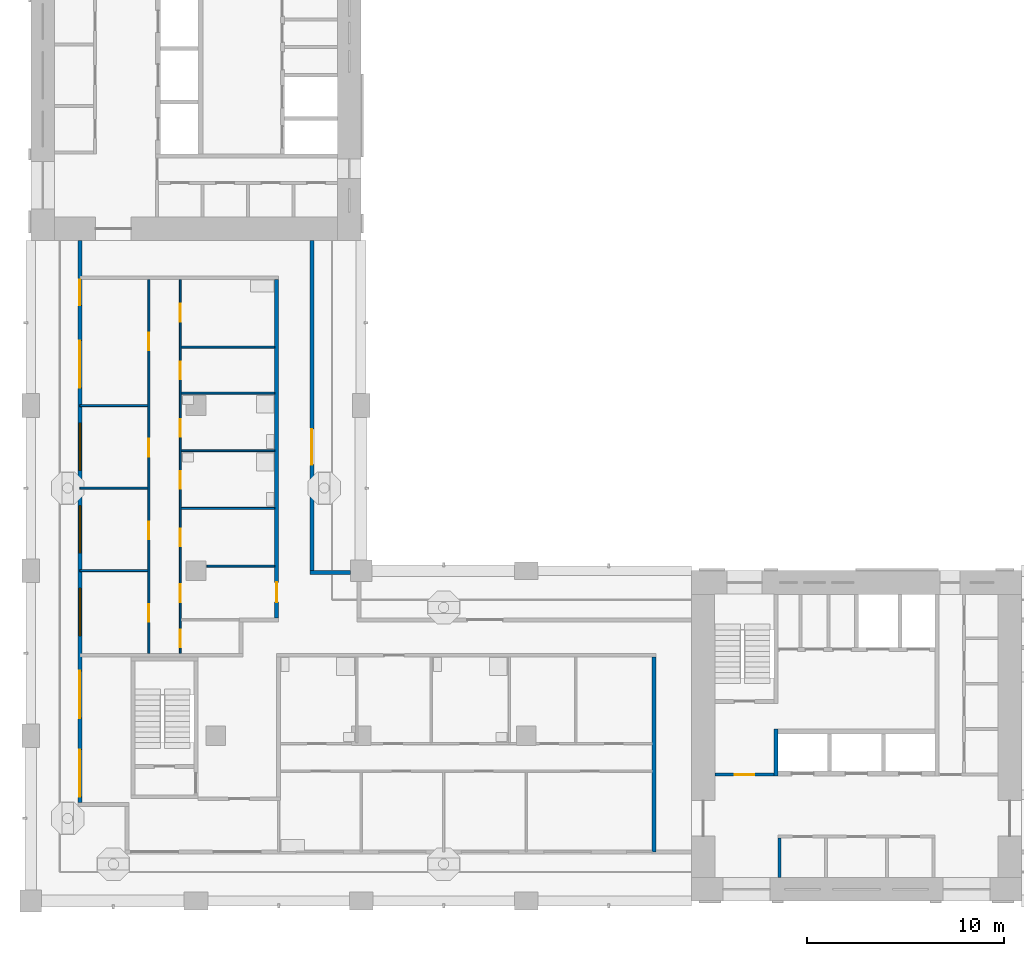
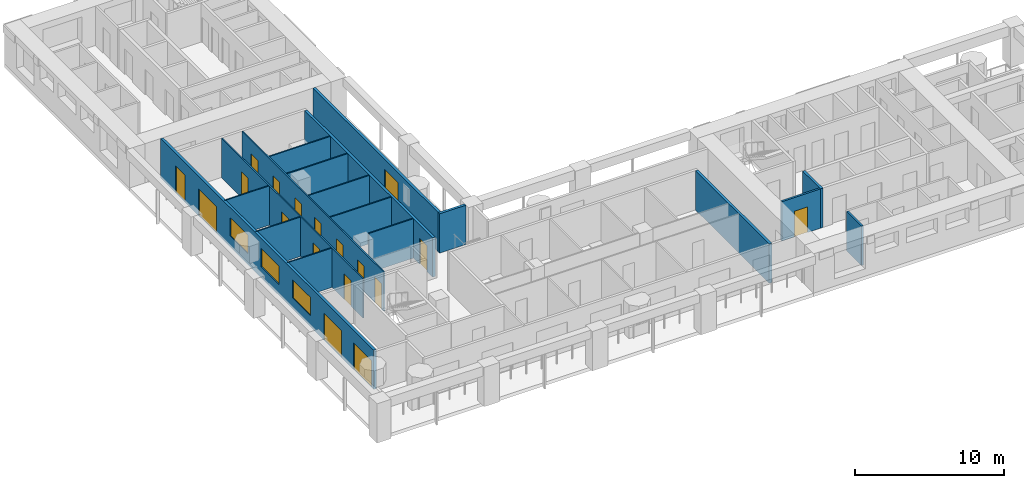
# One storey, part 3 of 13: 18 doors, 18 walls, 3 windows, 21 openings.
"""IFC4 building model written with IfcOpenShell, lengths in metres."""

from ifc_helpers import new_model, si_unit, direction, frame, frame_2d, origin, place, context, subcontext, project, spatial, rectangle, extrude, material, layer, layer_set, type_object, element, fill, save


model = new_model("IFC4")

# Units and contexts
model_context = context("Model", 3, precision=1e-05, world=origin(), true_north=direction((0.0, 1.0)))
body_context = subcontext(model_context, "Body", "Model", "MODEL_VIEW")
ifc_project = project(units=[si_unit("LENGTHUNIT", "METRE"), si_unit("AREAUNIT", "SQUARE_METRE"), si_unit("VOLUMEUNIT", "CUBIC_METRE"), si_unit("PLANEANGLEUNIT", "RADIAN"), si_unit("MASSUNIT", "GRAM", prefix="KILO")], contexts=[model_context])

# Site, building, storey
site_placement = place(None, origin())
site = spatial("IfcSite", under=ifc_project, at=site_placement, CompositionType="ELEMENT")
building_placement = place(site_placement, origin())
building = spatial("IfcBuilding", under=site, at=building_placement, Name="Vermilion Gate Residences", CompositionType="ELEMENT")
storey_placement = place(building_placement, frame((0.0, 0.0, 165.199951171875)))
storey = spatial("IfcBuildingStorey", under=building, at=storey_placement, Name="L42", CompositionType="ELEMENT", Elevation=165.199951171875)

# Wall
ifc_material_1 = material(Name="Masonry blockwork", Category="masonry")
ifc_layer_1 = layer(ifc_material_1, 0.14990234375)
ifc_layer_set_1 = layer_set([ifc_layer_1], Name="BLOCKWORK PARTITION 150 EI 120")
wall_type_1 = type_object("IfcWallType", Name="BLOCKWORK PARTITION 150 EI 120", PredefinedType="PARTITIONING", material=ifc_layer_set_1)
wall_1_placement = place(storey_placement, frame((46.47509765625, 9.60009765625, 0.0), z_axis=(0.0, 0.0, 1.0), x_axis=(0.0, 1.0, 0.0)))
element("IfcWall", 1, at=wall_1_placement, inside=storey, type_object=wall_type_1, Name="Core room partition A42-RW-W", PredefinedType="PARTITIONING", context=body_context, shape_type="SweptSolid", body=[
    extrude(rectangle(XDim=2.0, YDim=0.14990234375, at=frame_2d((1.0, 0.0))), origin(), (0.0, 0.0, 1.0), 3.219970703125),
])

# Wall, opening, door
wall_2_placement = place(storey_placement, frame((43.199951171875, 14.824951171875, 0.0), z_axis=(0.0, 0.0, 1.0), x_axis=(1.0, 0.0, 0.0)))
wall_2 = element("IfcWall", 2, at=wall_2_placement, inside=storey, type_object=wall_type_1, Name="Core room partition A42-VW-S", PredefinedType="PARTITIONING", context=body_context, shape_type="SweptSolid", body=[
    extrude(rectangle(XDim=3.0, YDim=0.14990234375, at=frame_2d((1.5, 0.0))), origin(), (0.0, 0.0, 1.0), 3.219970703125),
])
opening_1_placement = place(wall_2_placement, frame((1.0, 0.0, 0.0)))
opening_1 = element("IfcOpeningElement", 3, at=opening_1_placement, cuts=wall_2, Name="Opening DK42014", PredefinedType="OPENING", context=body_context, shape_type="SweptSolid", body=[
    extrude(rectangle(XDim=1.0, YDim=2.10009765625, at=frame_2d((0.5, 1.050048828125))), frame((0.0, 0.0849609375, 0.0), z_axis=(0.0, -1.0, 0.0), x_axis=(1.0, 0.0, 0.0)), (0.0, 0.0, 1.0), 0.169921875),
])
ifc_material_2 = material(Name="Steel", Category="steel")
door_type_1 = type_object("IfcDoorType", Name="FIRE DOOR FD60 1000 X 2100", OperationType="SINGLE_SWING_LEFT", PredefinedType="DOOR", material=ifc_material_2)
door_1_placement = place(opening_1_placement, frame((1.0, 0.0, 0.0), z_axis=(0.0, 0.0, 1.0), x_axis=(-1.0, 0.0, 0.0)))
door_1 = element("IfcDoor", 4, at=door_1_placement, inside=storey, type_object=door_type_1, Name="Stair vestibule door A42", OperationType="SINGLE_SWING_RIGHT", OverallHeight=2.10009765625, OverallWidth=1.0, PredefinedType="DOOR", context=body_context, shape_type="SweptSolid", body=[
    extrude(rectangle(XDim=1.0, YDim=2.10009765625, at=frame_2d((0.5, 1.050048828125))), frame((0.0, 0.02490234375, 0.0), z_axis=(0.0, -1.0, 0.0), x_axis=(1.0, 0.0, 0.0)), (0.0, 0.0, 1.0), 0.050048828125),
])
fill(opening_1, door_1)

# Wall, openings, doors, windows
ifc_material_3 = material(Name="Insulated steel stud wall with terracotta rainscreen", Category="masonry")
ifc_layer_2 = layer(ifc_material_3, 0.199951171875)
ifc_layer_set_2 = layer_set([ifc_layer_2], Name="EXTERNAL WALL 200 TERRACOTTA RAINSCREEN")
wall_type_2 = type_object("IfcWallType", Name="EXTERNAL WALL 200 TERRACOTTA RAINSCREEN", PredefinedType="SOLIDWALL", material=ifc_layer_set_2)
wall_3_placement = place(storey_placement, frame((10.89990234375, 42.0, 0.0), z_axis=(0.0, 0.0, 1.0), x_axis=(0.0, -1.0, 0.0)))
wall_3 = element("IfcWall", 5, at=wall_3_placement, inside=storey, type_object=wall_type_2, Name="External wall", PredefinedType="SOLIDWALL", context=body_context, shape_type="SweptSolid", body=[
    extrude(rectangle(XDim=28.60009765625, YDim=0.199951171875, at=frame_2d((14.300048828125, 0.0))), origin(), (0.0, 0.0, 1.0), 3.219970703125),
])
opening_2_placement = place(wall_3_placement, frame((25.89990234375, 0.0, 0.0)))
opening_2 = element("IfcOpeningElement", 6, at=opening_2_placement, cuts=wall_3, Name="Opening DE42001", PredefinedType="OPENING", context=body_context, shape_type="SweptSolid", body=[
    extrude(rectangle(XDim=2.39990234375, YDim=2.199951171875, at=frame_2d((1.199951171875, 1.10009765625))), frame((0.0, 0.10986328125, 0.0), z_axis=(0.0, -1.0, 0.0), x_axis=(1.0, 0.0, 0.0)), (0.0, 0.0, 1.0), 0.219970703125),
])
opening_3_placement = place(wall_3_placement, frame((21.89990234375, 0.0, 0.0)))
opening_3 = element("IfcOpeningElement", 7, at=opening_3_placement, cuts=wall_3, Name="Opening DE42002", PredefinedType="OPENING", context=body_context, shape_type="SweptSolid", body=[
    extrude(rectangle(XDim=2.39990234375, YDim=2.199951171875, at=frame_2d((1.199951171875, 1.10009765625))), frame((0.0, 0.10986328125, 0.0), z_axis=(0.0, -1.0, 0.0), x_axis=(1.0, 0.0, 0.0)), (0.0, 0.0, 1.0), 0.219970703125),
])
opening_4_placement = place(wall_3_placement, frame((17.699951171875, 0.0, 0.89990234375)))
opening_4 = element("IfcOpeningElement", 8, at=opening_4_placement, cuts=wall_3, Name="Opening WE42003", PredefinedType="OPENING", context=body_context, shape_type="SweptSolid", body=[
    extrude(rectangle(XDim=2.39990234375, YDim=1.5, at=frame_2d((1.199951171875, 0.75))), frame((0.0, 0.10986328125, 0.0), z_axis=(0.0, -1.0, 0.0), x_axis=(1.0, 0.0, 0.0)), (0.0, 0.0, 1.0), 0.219970703125),
])
opening_5_placement = place(wall_3_placement, frame((13.5, 0.0, 0.89990234375)))
opening_5 = element("IfcOpeningElement", 9, at=opening_5_placement, cuts=wall_3, Name="Opening WE42004", PredefinedType="OPENING", context=body_context, shape_type="SweptSolid", body=[
    extrude(rectangle(XDim=2.39990234375, YDim=1.5, at=frame_2d((1.199951171875, 0.75))), frame((0.0, 0.10986328125, 0.0), z_axis=(0.0, -1.0, 0.0), x_axis=(1.0, 0.0, 0.0)), (0.0, 0.0, 1.0), 0.219970703125),
])
opening_6_placement = place(wall_3_placement, frame((9.300048828125, 0.0, 0.89990234375)))
opening_6 = element("IfcOpeningElement", 10, at=opening_6_placement, cuts=wall_3, Name="Opening WE42005", PredefinedType="OPENING", context=body_context, shape_type="SweptSolid", body=[
    extrude(rectangle(XDim=2.39990234375, YDim=1.5, at=frame_2d((1.199951171875, 0.75))), frame((0.0, 0.10986328125, 0.0), z_axis=(0.0, -1.0, 0.0), x_axis=(1.0, 0.0, 0.0)), (0.0, 0.0, 1.0), 0.219970703125),
])
opening_7_placement = place(wall_3_placement, frame((5.10009765625, 0.0, 0.0)))
opening_7 = element("IfcOpeningElement", 11, at=opening_7_placement, cuts=wall_3, Name="Opening DE42006", PredefinedType="OPENING", context=body_context, shape_type="SweptSolid", body=[
    extrude(rectangle(XDim=2.39990234375, YDim=2.199951171875, at=frame_2d((1.199951171875, 1.10009765625))), frame((0.0, 0.10986328125, 0.0), z_axis=(0.0, -1.0, 0.0), x_axis=(1.0, 0.0, 0.0)), (0.0, 0.0, 1.0), 0.219970703125),
])
opening_8_placement = place(wall_3_placement, frame((2.0, 0.0, 0.0)))
opening_8 = element("IfcOpeningElement", 12, at=opening_8_placement, cuts=wall_3, Name="Opening DE42007", PredefinedType="OPENING", context=body_context, shape_type="SweptSolid", body=[
    extrude(rectangle(XDim=1.300048828125, YDim=2.199951171875, at=frame_2d((0.64990234375, 1.10009765625))), frame((0.0, 0.10986328125, 0.0), z_axis=(0.0, -1.0, 0.0), x_axis=(1.0, 0.0, 0.0)), (0.0, 0.0, 1.0), 0.219970703125),
])
ifc_material_4 = material(Name="Aluminium and clear glass", Category="aluminium")
door_type_2 = type_object("IfcDoorType", Name="SLIDING GLAZED DOOR 1300 X 2200", OperationType="DOUBLE_DOOR_SLIDING", PredefinedType="DOOR", material=ifc_material_4)
door_2_placement = place(opening_8_placement, origin())
door_2 = element("IfcDoor", 13, at=door_2_placement, inside=storey, type_object=door_type_2, Name="Loggia sliding door", OperationType="DOUBLE_DOOR_SLIDING", OverallHeight=2.199951171875, OverallWidth=1.300048828125, PredefinedType="DOOR", context=body_context, shape_type="SweptSolid", body=[
    extrude(rectangle(XDim=1.300048828125, YDim=2.199951171875, at=frame_2d((0.64990234375, 1.10009765625))), frame((0.0, 0.02490234375, 0.0), z_axis=(0.0, -1.0, 0.0), x_axis=(1.0, 0.0, 0.0)), (0.0, 0.0, 1.0), 0.050048828125),
])
fill(opening_8, door_2)
ifc_material_5 = material(Name="Aluminium and clear glass", Category="aluminium")
door_type_3 = type_object("IfcDoorType", Name="SLIDING GLAZED DOOR 2400 X 2200", OperationType="DOUBLE_DOOR_SLIDING", PredefinedType="DOOR", material=ifc_material_5)
door_3_placement = place(opening_2_placement, origin())
door_3 = element("IfcDoor", 14, at=door_3_placement, inside=storey, type_object=door_type_3, Name="Loggia sliding door", OperationType="DOUBLE_DOOR_SLIDING", OverallHeight=2.199951171875, OverallWidth=2.39990234375, PredefinedType="DOOR", context=body_context, shape_type="SweptSolid", body=[
    extrude(rectangle(XDim=2.39990234375, YDim=2.199951171875, at=frame_2d((1.199951171875, 1.10009765625))), frame((0.0, 0.02490234375, 0.0), z_axis=(0.0, -1.0, 0.0), x_axis=(1.0, 0.0, 0.0)), (0.0, 0.0, 1.0), 0.050048828125),
])
fill(opening_2, door_3)
door_4_placement = place(opening_3_placement, origin())
door_4 = element("IfcDoor", 15, at=door_4_placement, inside=storey, type_object=door_type_3, Name="Loggia sliding door", OperationType="DOUBLE_DOOR_SLIDING", OverallHeight=2.199951171875, OverallWidth=2.39990234375, PredefinedType="DOOR", context=body_context, shape_type="SweptSolid", body=[
    extrude(rectangle(XDim=2.39990234375, YDim=2.199951171875, at=frame_2d((1.199951171875, 1.10009765625))), frame((0.0, 0.02490234375, 0.0), z_axis=(0.0, -1.0, 0.0), x_axis=(1.0, 0.0, 0.0)), (0.0, 0.0, 1.0), 0.050048828125),
])
fill(opening_3, door_4)
door_5_placement = place(opening_7_placement, origin())
door_5 = element("IfcDoor", 16, at=door_5_placement, inside=storey, type_object=door_type_3, Name="Loggia sliding door", OperationType="DOUBLE_DOOR_SLIDING", OverallHeight=2.199951171875, OverallWidth=2.39990234375, PredefinedType="DOOR", context=body_context, shape_type="SweptSolid", body=[
    extrude(rectangle(XDim=2.39990234375, YDim=2.199951171875, at=frame_2d((1.199951171875, 1.10009765625))), frame((0.0, 0.02490234375, 0.0), z_axis=(0.0, -1.0, 0.0), x_axis=(1.0, 0.0, 0.0)), (0.0, 0.0, 1.0), 0.050048828125),
])
fill(opening_7, door_5)
ifc_material_6 = material(Name="Aluminium and clear glass", Category="aluminium")
window_type = type_object("IfcWindowType", Name="WINDOW 2400 X 1500", PartitioningType="SINGLE_PANEL", PredefinedType="WINDOW", material=ifc_material_6)
window_1_placement = place(opening_4_placement, origin())
window_1 = element("IfcWindow", 17, at=window_1_placement, inside=storey, type_object=window_type, Name="Window", OverallHeight=1.5, OverallWidth=2.39990234375, PartitioningType="SINGLE_PANEL", PredefinedType="WINDOW", context=body_context, shape_type="SweptSolid", body=[
    extrude(rectangle(XDim=2.39990234375, YDim=1.5, at=frame_2d((1.199951171875, 0.75))), frame((0.0, 0.030029296875, 0.0), z_axis=(0.0, -1.0, 0.0), x_axis=(1.0, 0.0, 0.0)), (0.0, 0.0, 1.0), 0.06005859375),
])
fill(opening_4, window_1)
window_2_placement = place(opening_5_placement, origin())
window_2 = element("IfcWindow", 18, at=window_2_placement, inside=storey, type_object=window_type, Name="Window", OverallHeight=1.5, OverallWidth=2.39990234375, PartitioningType="SINGLE_PANEL", PredefinedType="WINDOW", context=body_context, shape_type="SweptSolid", body=[
    extrude(rectangle(XDim=2.39990234375, YDim=1.5, at=frame_2d((1.199951171875, 0.75))), frame((0.0, 0.030029296875, 0.0), z_axis=(0.0, -1.0, 0.0), x_axis=(1.0, 0.0, 0.0)), (0.0, 0.0, 1.0), 0.06005859375),
])
fill(opening_5, window_2)
window_3_placement = place(opening_6_placement, origin())
window_3 = element("IfcWindow", 19, at=window_3_placement, inside=storey, type_object=window_type, Name="Window", OverallHeight=1.5, OverallWidth=2.39990234375, PartitioningType="SINGLE_PANEL", PredefinedType="WINDOW", context=body_context, shape_type="SweptSolid", body=[
    extrude(rectangle(XDim=2.39990234375, YDim=1.5, at=frame_2d((1.199951171875, 0.75))), frame((0.0, 0.030029296875, 0.0), z_axis=(0.0, -1.0, 0.0), x_axis=(1.0, 0.0, 0.0)), (0.0, 0.0, 1.0), 0.06005859375),
])
fill(opening_6, window_3)

# Wall
wall_4_placement = place(storey_placement, frame((24.64990234375, 25.10009765625, 0.0), z_axis=(0.0, 0.0, 1.0), x_axis=(-1.0, 0.0, 0.0)))
element("IfcWall", 20, at=wall_4_placement, inside=storey, type_object=wall_type_2, Name="External wall", PredefinedType="SOLIDWALL", context=body_context, shape_type="SweptSolid", body=[
    extrude(rectangle(XDim=2.0498046875, YDim=0.199951171875, at=frame_2d((1.02490234375, 0.0))), origin(), (0.0, 0.0, 1.0), 3.219970703125),
])

# Wall, opening, door
wall_5_placement = place(storey_placement, frame((22.699951171875, 25.199951171875, 0.0), z_axis=(0.0, 0.0, 1.0), x_axis=(0.0, 1.0, 0.0)))
wall_5 = element("IfcWall", 21, at=wall_5_placement, inside=storey, type_object=wall_type_2, Name="External wall", PredefinedType="SOLIDWALL", context=body_context, shape_type="SweptSolid", body=[
    extrude(rectangle(XDim=16.800048828125, YDim=0.199951171875, at=frame_2d((8.39990234375, 0.0))), origin(), (0.0, 0.0, 1.0), 3.219970703125),
])
opening_9_placement = place(wall_5_placement, frame((5.39990234375, 0.0, 0.0)))
opening_9 = element("IfcOpeningElement", 22, at=opening_9_placement, cuts=wall_5, Name="Opening DE42021", PredefinedType="OPENING", context=body_context, shape_type="SweptSolid", body=[
    extrude(rectangle(XDim=1.800048828125, YDim=2.39990234375, at=frame_2d((0.89990234375, 1.199951171875))), frame((0.0, 0.10986328125, 0.0), z_axis=(0.0, -1.0, 0.0), x_axis=(1.0, 0.0, 0.0)), (0.0, 0.0, 1.0), 0.219970703125),
])
ifc_material_7 = material(Name="Aluminium and clear glass", Category="aluminium")
door_type_4 = type_object("IfcDoorType", Name="GLAZED EXTERNAL DOOR 1800 X 2400", OperationType="DOUBLE_DOOR_SINGLE_SWING", PredefinedType="DOOR", material=ifc_material_7)
door_6_placement = place(opening_9_placement, frame((1.800048828125, 0.0, 0.0), z_axis=(0.0, 0.0, 1.0), x_axis=(-1.0, 0.0, 0.0)))
door_6 = element("IfcDoor", 23, at=door_6_placement, inside=storey, type_object=door_type_4, Name="Gallery door", OperationType="DOUBLE_DOOR_SINGLE_SWING", OverallHeight=2.39990234375, OverallWidth=1.800048828125, PredefinedType="DOOR", context=body_context, shape_type="SweptSolid", body=[
    extrude(rectangle(XDim=1.800048828125, YDim=2.39990234375, at=frame_2d((0.89990234375, 1.199951171875))), frame((0.0, 0.02490234375, 0.0), z_axis=(0.0, -1.0, 0.0), x_axis=(1.0, 0.0, 0.0)), (0.0, 0.0, 1.0), 0.050048828125),
])
fill(opening_9, door_6)

# Walls
ifc_material_8 = material(Name="Plasterboard on steel studs", Category="steel")
ifc_layer_3 = layer(ifc_material_8, 0.10009765625)
ifc_layer_set_3 = layer_set([ifc_layer_3], Name="PARTITION 100")
wall_type_3 = type_object("IfcWallType", Name="PARTITION 100", PredefinedType="PARTITIONING", material=ifc_layer_set_3)
wall_6_placement = place(storey_placement, frame((10.89990234375, 25.199951171875, 0.0), z_axis=(0.0, 0.0, 1.0), x_axis=(1.0, 0.0, 0.0)))
element("IfcWall", 24, at=wall_6_placement, inside=storey, type_object=wall_type_3, Name="Partition", PredefinedType="PARTITIONING", context=body_context, shape_type="SweptSolid", body=[
    extrude(rectangle(XDim=3.4501953125, YDim=0.10009765625, at=frame_2d((1.72509765625, 0.0))), origin(), (0.0, 0.0, 1.0), 3.219970703125),
])
wall_7_placement = place(storey_placement, frame((17.35009765625, 25.43310546875, 0.0), z_axis=(0.0, 0.0, 1.0), x_axis=(1.0, 0.0, 0.0)))
element("IfcWall", 25, at=wall_7_placement, inside=storey, type_object=wall_type_3, Name="Partition", PredefinedType="PARTITIONING", context=body_context, shape_type="SweptSolid", body=[
    extrude(rectangle(XDim=3.449951171875, YDim=0.10009765625, at=frame_2d((1.72509765625, 0.0))), origin(), (0.0, 0.0, 1.0), 3.219970703125),
])
wall_8_placement = place(storey_placement, frame((16.050048828125, 28.366943359375, 0.0), z_axis=(0.0, 0.0, 1.0), x_axis=(1.0, 0.0, 0.0)))
element("IfcWall", 26, at=wall_8_placement, inside=storey, type_object=wall_type_3, Name="Partition", PredefinedType="PARTITIONING", context=body_context, shape_type="SweptSolid", body=[
    extrude(rectangle(XDim=4.75, YDim=0.10009765625, at=frame_2d((2.375, 0.0))), origin(), (0.0, 0.0, 1.0), 3.219970703125),
])
wall_9_placement = place(storey_placement, frame((10.89990234375, 29.39990234375, 0.0), z_axis=(0.0, 0.0, 1.0), x_axis=(1.0, 0.0, 0.0)))
element("IfcWall", 27, at=wall_9_placement, inside=storey, type_object=wall_type_3, Name="Partition", PredefinedType="PARTITIONING", context=body_context, shape_type="SweptSolid", body=[
    extrude(rectangle(XDim=3.4501953125, YDim=0.10009765625, at=frame_2d((1.72509765625, 0.0))), origin(), (0.0, 0.0, 1.0), 3.219970703125),
])
wall_10_placement = place(storey_placement, frame((16.050048828125, 31.300048828125, 0.0), z_axis=(0.0, 0.0, 1.0), x_axis=(1.0, 0.0, 0.0)))
element("IfcWall", 28, at=wall_10_placement, inside=storey, type_object=wall_type_3, Name="Partition", PredefinedType="PARTITIONING", context=body_context, shape_type="SweptSolid", body=[
    extrude(rectangle(XDim=4.75, YDim=0.10009765625, at=frame_2d((2.375, 0.0))), origin(), (0.0, 0.0, 1.0), 3.219970703125),
])
wall_11_placement = place(storey_placement, frame((10.89990234375, 33.60009765625, 0.0), z_axis=(0.0, 0.0, 1.0), x_axis=(1.0, 0.0, 0.0)))
element("IfcWall", 29, at=wall_11_placement, inside=storey, type_object=wall_type_3, Name="Partition", PredefinedType="PARTITIONING", context=body_context, shape_type="SweptSolid", body=[
    extrude(rectangle(XDim=3.4501953125, YDim=0.10009765625, at=frame_2d((1.72509765625, 0.0))), origin(), (0.0, 0.0, 1.0), 3.219970703125),
])
for number, where, z_axis, x_axis, name in (
    (30, (16.050048828125, 34.23291015625, 0.0), (0.0, 0.0, 1.0), (1.0, 0.0, 0.0), "Partition"),
    (31, (16.050048828125, 36.56689453125, 0.0), (0.0, 0.0, 1.0), (1.0, 0.0, 0.0), "Partition"),
):
    element("IfcWall", number, at=place(storey_placement, frame(where, z_axis=z_axis, x_axis=x_axis)), inside=storey, type_object=wall_type_3, Name=name, PredefinedType="PARTITIONING", context=body_context, shape_type="SweptSolid", body=[
        extrude(rectangle(XDim=4.75, YDim=0.10009765625, at=frame_2d((2.375, 0.0))), origin(), (0.0, 0.0, 1.0), 3.219970703125),
    ])

# Wall, openings, doors
wall_12_placement = place(storey_placement, frame((14.39990234375, 21.0, 0.0), z_axis=(0.0, 0.0, 1.0), x_axis=(0.0, 1.0, 0.0)))
wall_12 = element("IfcWall", 32, at=wall_12_placement, inside=storey, type_object=wall_type_3, Name="Partition", PredefinedType="PARTITIONING", context=body_context, shape_type="SweptSolid", body=[
    extrude(rectangle(XDim=19.0, YDim=0.10009765625, at=frame_2d((9.5, 0.0))), origin(), (0.0, 0.0, 1.0), 3.219970703125),
])
opening_10_placement = place(wall_12_placement, frame((1.60009765625, 0.0, 0.0)))
opening_10 = element("IfcOpeningElement", 33, at=opening_10_placement, cuts=wall_12, Name="Opening DA40012", PredefinedType="OPENING", context=body_context, shape_type="SweptSolid", body=[
    extrude(rectangle(XDim=0.89990234375, YDim=2.10009765625, at=frame_2d((0.449951171875, 1.050048828125))), frame((0.0, 0.06005859375, 0.0), z_axis=(0.0, -1.0, 0.0), x_axis=(1.0, 0.0, 0.0)), (0.0, 0.0, 1.0), 0.1201171875),
])
opening_11_placement = place(wall_12_placement, frame((5.800048828125, 0.0, 0.0)))
opening_11 = element("IfcOpeningElement", 34, at=opening_11_placement, cuts=wall_12, Name="Opening DA40013", PredefinedType="OPENING", context=body_context, shape_type="SweptSolid", body=[
    extrude(rectangle(XDim=0.89990234375, YDim=2.10009765625, at=frame_2d((0.449951171875, 1.050048828125))), frame((0.0, 0.06005859375, 0.0), z_axis=(0.0, -1.0, 0.0), x_axis=(1.0, 0.0, 0.0)), (0.0, 0.0, 1.0), 0.1201171875),
])
opening_12_placement = place(wall_12_placement, frame((10.0, 0.0, 0.0)))
opening_12 = element("IfcOpeningElement", 35, at=opening_12_placement, cuts=wall_12, Name="Opening DA40014", PredefinedType="OPENING", context=body_context, shape_type="SweptSolid", body=[
    extrude(rectangle(XDim=0.89990234375, YDim=2.10009765625, at=frame_2d((0.449951171875, 1.050048828125))), frame((0.0, 0.06005859375, 0.0), z_axis=(0.0, -1.0, 0.0), x_axis=(1.0, 0.0, 0.0)), (0.0, 0.0, 1.0), 0.1201171875),
])
opening_13_placement = place(wall_12_placement, frame((15.39990234375, 0.0, 0.0)))
opening_13 = element("IfcOpeningElement", 36, at=opening_13_placement, cuts=wall_12, Name="Opening DA40015", PredefinedType="OPENING", context=body_context, shape_type="SweptSolid", body=[
    extrude(rectangle(XDim=0.89990234375, YDim=2.10009765625, at=frame_2d((0.449951171875, 1.050048828125))), frame((0.0, 0.06005859375, 0.0), z_axis=(0.0, -1.0, 0.0), x_axis=(1.0, 0.0, 0.0)), (0.0, 0.0, 1.0), 0.1201171875),
])
ifc_material_9 = material(Name="Timber", Category="wood")
door_type_5 = type_object("IfcDoorType", Name="INTERIOR DOOR 900 X 2100", OperationType="SINGLE_SWING_LEFT", PredefinedType="DOOR", material=ifc_material_9)
door_7_placement = place(opening_10_placement, origin())
door_7 = element("IfcDoor", 37, at=door_7_placement, inside=storey, type_object=door_type_5, Name="Interior door", OperationType="SINGLE_SWING_LEFT", OverallHeight=2.10009765625, OverallWidth=0.89990234375, PredefinedType="DOOR", context=body_context, shape_type="SweptSolid", body=[
    extrude(rectangle(XDim=0.89990234375, YDim=2.10009765625, at=frame_2d((0.449951171875, 1.050048828125))), frame((0.0, 0.02490234375, 0.0), z_axis=(0.0, -1.0, 0.0), x_axis=(1.0, 0.0, 0.0)), (0.0, 0.0, 1.0), 0.050048828125),
])
fill(opening_10, door_7)
door_8_placement = place(opening_11_placement, origin())
door_8 = element("IfcDoor", 38, at=door_8_placement, inside=storey, type_object=door_type_5, Name="Interior door", OperationType="SINGLE_SWING_LEFT", OverallHeight=2.10009765625, OverallWidth=0.89990234375, PredefinedType="DOOR", context=body_context, shape_type="SweptSolid", body=[
    extrude(rectangle(XDim=0.89990234375, YDim=2.10009765625, at=frame_2d((0.449951171875, 1.050048828125))), frame((0.0, 0.02490234375, 0.0), z_axis=(0.0, -1.0, 0.0), x_axis=(1.0, 0.0, 0.0)), (0.0, 0.0, 1.0), 0.050048828125),
])
fill(opening_11, door_8)
door_9_placement = place(opening_12_placement, origin())
door_9 = element("IfcDoor", 39, at=door_9_placement, inside=storey, type_object=door_type_5, Name="Interior door", OperationType="SINGLE_SWING_LEFT", OverallHeight=2.10009765625, OverallWidth=0.89990234375, PredefinedType="DOOR", context=body_context, shape_type="SweptSolid", body=[
    extrude(rectangle(XDim=0.89990234375, YDim=2.10009765625, at=frame_2d((0.449951171875, 1.050048828125))), frame((0.0, 0.02490234375, 0.0), z_axis=(0.0, -1.0, 0.0), x_axis=(1.0, 0.0, 0.0)), (0.0, 0.0, 1.0), 0.050048828125),
])
fill(opening_12, door_9)
door_10_placement = place(opening_13_placement, origin())
door_10 = element("IfcDoor", 40, at=door_10_placement, inside=storey, type_object=door_type_5, Name="Interior door", OperationType="SINGLE_SWING_RIGHT", OverallHeight=2.10009765625, OverallWidth=0.89990234375, PredefinedType="DOOR", context=body_context, shape_type="SweptSolid", body=[
    extrude(rectangle(XDim=0.89990234375, YDim=2.10009765625, at=frame_2d((0.449951171875, 1.050048828125))), frame((0.0, 0.02490234375, 0.0), z_axis=(0.0, -1.0, 0.0), x_axis=(1.0, 0.0, 0.0)), (0.0, 0.0, 1.0), 0.050048828125),
])
fill(opening_13, door_10)

wall_13_placement = place(storey_placement, frame((16.0, 21.0, 0.0), z_axis=(0.0, 0.0, 1.0), x_axis=(0.0, 1.0, 0.0)))
wall_13 = element("IfcWall", 41, at=wall_13_placement, inside=storey, type_object=wall_type_3, Name="Partition", PredefinedType="PARTITIONING", context=body_context, shape_type="SweptSolid", body=[
    extrude(rectangle(XDim=19.0, YDim=0.10009765625, at=frame_2d((9.5, 0.0))), origin(), (0.0, 0.0, 1.0), 3.219970703125),
])
opening_14_placement = place(wall_13_placement, frame((2.60009765625, 0.0, 0.0)))
opening_14 = element("IfcOpeningElement", 42, at=opening_14_placement, cuts=wall_13, Name="Opening DA40016", PredefinedType="OPENING", context=body_context, shape_type="SweptSolid", body=[
    extrude(rectangle(XDim=0.89990234375, YDim=2.10009765625, at=frame_2d((0.449951171875, 1.050048828125))), frame((0.0, 0.06005859375, 0.0), z_axis=(0.0, -1.0, 0.0), x_axis=(1.0, 0.0, 0.0)), (0.0, 0.0, 1.0), 0.1201171875),
])
opening_15_placement = place(wall_13_placement, frame((0.300048828125, 0.0, 0.0)))
opening_15 = element("IfcOpeningElement", 43, at=opening_15_placement, cuts=wall_13, Name="Opening DA40017", PredefinedType="OPENING", context=body_context, shape_type="SweptSolid", body=[
    extrude(rectangle(XDim=0.89990234375, YDim=2.10009765625, at=frame_2d((0.449951171875, 1.050048828125))), frame((0.0, 0.06005859375, 0.0), z_axis=(0.0, -1.0, 0.0), x_axis=(1.0, 0.0, 0.0)), (0.0, 0.0, 1.0), 0.1201171875),
])
opening_16_placement = place(wall_13_placement, frame((5.43310546875, 0.0, 0.0)))
opening_16 = element("IfcOpeningElement", 44, at=opening_16_placement, cuts=wall_13, Name="Opening DA40018", PredefinedType="OPENING", context=body_context, shape_type="SweptSolid", body=[
    extrude(rectangle(XDim=0.89990234375, YDim=2.10009765625, at=frame_2d((0.449951171875, 1.050048828125))), frame((0.0, 0.06005859375, 0.0), z_axis=(0.0, -1.0, 0.0), x_axis=(1.0, 0.0, 0.0)), (0.0, 0.0, 1.0), 0.1201171875),
])
opening_17_placement = place(wall_13_placement, frame((8.366943359375, 0.0, 0.0)))
opening_17 = element("IfcOpeningElement", 45, at=opening_17_placement, cuts=wall_13, Name="Opening DA40019", PredefinedType="OPENING", context=body_context, shape_type="SweptSolid", body=[
    extrude(rectangle(XDim=0.89990234375, YDim=2.10009765625, at=frame_2d((0.449951171875, 1.050048828125))), frame((0.0, 0.06005859375, 0.0), z_axis=(0.0, -1.0, 0.0), x_axis=(1.0, 0.0, 0.0)), (0.0, 0.0, 1.0), 0.1201171875),
])
opening_18_placement = place(wall_13_placement, frame((11.0, 0.0, 0.0)))
opening_18 = element("IfcOpeningElement", 46, at=opening_18_placement, cuts=wall_13, Name="Opening DA40020", PredefinedType="OPENING", context=body_context, shape_type="SweptSolid", body=[
    extrude(rectangle(XDim=0.89990234375, YDim=2.10009765625, at=frame_2d((0.449951171875, 1.050048828125))), frame((0.0, 0.06005859375, 0.0), z_axis=(0.0, -1.0, 0.0), x_axis=(1.0, 0.0, 0.0)), (0.0, 0.0, 1.0), 0.1201171875),
])
opening_19_placement = place(wall_13_placement, frame((13.93310546875, 0.0, 0.0)))
opening_19 = element("IfcOpeningElement", 47, at=opening_19_placement, cuts=wall_13, Name="Opening DA40021", PredefinedType="OPENING", context=body_context, shape_type="SweptSolid", body=[
    extrude(rectangle(XDim=0.89990234375, YDim=2.10009765625, at=frame_2d((0.449951171875, 1.050048828125))), frame((0.0, 0.06005859375, 0.0), z_axis=(0.0, -1.0, 0.0), x_axis=(1.0, 0.0, 0.0)), (0.0, 0.0, 1.0), 0.1201171875),
])
opening_20_placement = place(wall_13_placement, frame((16.866943359375, 0.0, 0.0)))
opening_20 = element("IfcOpeningElement", 48, at=opening_20_placement, cuts=wall_13, Name="Opening DA40022", PredefinedType="OPENING", context=body_context, shape_type="SweptSolid", body=[
    extrude(rectangle(XDim=0.89990234375, YDim=2.10009765625, at=frame_2d((0.449951171875, 1.050048828125))), frame((0.0, 0.06005859375, 0.0), z_axis=(0.0, -1.0, 0.0), x_axis=(1.0, 0.0, 0.0)), (0.0, 0.0, 1.0), 0.1201171875),
])
door_11_placement = place(opening_14_placement, frame((0.89990234375, 0.0, 0.0), z_axis=(0.0, 0.0, 1.0), x_axis=(-1.0, 0.0, 0.0)))
door_11 = element("IfcDoor", 49, at=door_11_placement, inside=storey, type_object=door_type_5, Name="Interior door", OperationType="SINGLE_SWING_RIGHT", OverallHeight=2.10009765625, OverallWidth=0.89990234375, PredefinedType="DOOR", context=body_context, shape_type="SweptSolid", body=[
    extrude(rectangle(XDim=0.89990234375, YDim=2.10009765625, at=frame_2d((0.449951171875, 1.050048828125))), frame((0.0, 0.02490234375, 0.0), z_axis=(0.0, -1.0, 0.0), x_axis=(1.0, 0.0, 0.0)), (0.0, 0.0, 1.0), 0.050048828125),
])
fill(opening_14, door_11)
door_12_placement = place(opening_15_placement, frame((0.89990234375, 0.0, 0.0), z_axis=(0.0, 0.0, 1.0), x_axis=(-1.0, 0.0, 0.0)))
door_12 = element("IfcDoor", 50, at=door_12_placement, inside=storey, type_object=door_type_5, Name="Interior door", OperationType="SINGLE_SWING_RIGHT", OverallHeight=2.10009765625, OverallWidth=0.89990234375, PredefinedType="DOOR", context=body_context, shape_type="SweptSolid", body=[
    extrude(rectangle(XDim=0.89990234375, YDim=2.10009765625, at=frame_2d((0.449951171875, 1.050048828125))), frame((0.0, 0.02490234375, 0.0), z_axis=(0.0, -1.0, 0.0), x_axis=(1.0, 0.0, 0.0)), (0.0, 0.0, 1.0), 0.050048828125),
])
fill(opening_15, door_12)
door_13_placement = place(opening_16_placement, frame((0.89990234375, 0.0, 0.0), z_axis=(0.0, 0.0, 1.0), x_axis=(-1.0, 0.0, 0.0)))
door_13 = element("IfcDoor", 51, at=door_13_placement, inside=storey, type_object=door_type_5, Name="Interior door", OperationType="SINGLE_SWING_LEFT", OverallHeight=2.10009765625, OverallWidth=0.89990234375, PredefinedType="DOOR", context=body_context, shape_type="SweptSolid", body=[
    extrude(rectangle(XDim=0.89990234375, YDim=2.10009765625, at=frame_2d((0.449951171875, 1.050048828125))), frame((0.0, 0.02490234375, 0.0), z_axis=(0.0, -1.0, 0.0), x_axis=(1.0, 0.0, 0.0)), (0.0, 0.0, 1.0), 0.050048828125),
])
fill(opening_16, door_13)
door_14_placement = place(opening_17_placement, frame((0.89990234375, 0.0, 0.0), z_axis=(0.0, 0.0, 1.0), x_axis=(-1.0, 0.0, 0.0)))
door_14 = element("IfcDoor", 52, at=door_14_placement, inside=storey, type_object=door_type_5, Name="Interior door", OperationType="SINGLE_SWING_LEFT", OverallHeight=2.10009765625, OverallWidth=0.89990234375, PredefinedType="DOOR", context=body_context, shape_type="SweptSolid", body=[
    extrude(rectangle(XDim=0.89990234375, YDim=2.10009765625, at=frame_2d((0.449951171875, 1.050048828125))), frame((0.0, 0.02490234375, 0.0), z_axis=(0.0, -1.0, 0.0), x_axis=(1.0, 0.0, 0.0)), (0.0, 0.0, 1.0), 0.050048828125),
])
fill(opening_17, door_14)
door_15_placement = place(opening_18_placement, frame((0.89990234375, 0.0, 0.0), z_axis=(0.0, 0.0, 1.0), x_axis=(-1.0, 0.0, 0.0)))
door_15 = element("IfcDoor", 53, at=door_15_placement, inside=storey, type_object=door_type_5, Name="Interior door", OperationType="SINGLE_SWING_RIGHT", OverallHeight=2.10009765625, OverallWidth=0.89990234375, PredefinedType="DOOR", context=body_context, shape_type="SweptSolid", body=[
    extrude(rectangle(XDim=0.89990234375, YDim=2.10009765625, at=frame_2d((0.449951171875, 1.050048828125))), frame((0.0, 0.02490234375, 0.0), z_axis=(0.0, -1.0, 0.0), x_axis=(1.0, 0.0, 0.0)), (0.0, 0.0, 1.0), 0.050048828125),
])
fill(opening_18, door_15)
door_16_placement = place(opening_19_placement, frame((0.89990234375, 0.0, 0.0), z_axis=(0.0, 0.0, 1.0), x_axis=(-1.0, 0.0, 0.0)))
door_16 = element("IfcDoor", 54, at=door_16_placement, inside=storey, type_object=door_type_5, Name="Interior door", OperationType="SINGLE_SWING_RIGHT", OverallHeight=2.10009765625, OverallWidth=0.89990234375, PredefinedType="DOOR", context=body_context, shape_type="SweptSolid", body=[
    extrude(rectangle(XDim=0.89990234375, YDim=2.10009765625, at=frame_2d((0.449951171875, 1.050048828125))), frame((0.0, 0.02490234375, 0.0), z_axis=(0.0, -1.0, 0.0), x_axis=(1.0, 0.0, 0.0)), (0.0, 0.0, 1.0), 0.050048828125),
])
fill(opening_19, door_16)
door_17_placement = place(opening_20_placement, frame((0.89990234375, 0.0, 0.0), z_axis=(0.0, 0.0, 1.0), x_axis=(-1.0, 0.0, 0.0)))
door_17 = element("IfcDoor", 55, at=door_17_placement, inside=storey, type_object=door_type_5, Name="Interior door", OperationType="SINGLE_SWING_LEFT", OverallHeight=2.10009765625, OverallWidth=0.89990234375, PredefinedType="DOOR", context=body_context, shape_type="SweptSolid", body=[
    extrude(rectangle(XDim=0.89990234375, YDim=2.10009765625, at=frame_2d((0.449951171875, 1.050048828125))), frame((0.0, 0.02490234375, 0.0), z_axis=(0.0, -1.0, 0.0), x_axis=(1.0, 0.0, 0.0)), (0.0, 0.0, 1.0), 0.050048828125),
])
fill(opening_20, door_17)

# Wall, opening, door
ifc_material_10 = material(Name="Fire-rated plasterboard on steel studs", Category="steel")
ifc_layer_4 = layer(ifc_material_10, 0.199951171875)
ifc_layer_set_4 = layer_set([ifc_layer_4], Name="PARTY WALL 200 EI 120")
wall_type_4 = type_object("IfcWallType", Name="PARTY WALL 200 EI 120", PredefinedType="PARTITIONING", material=ifc_layer_set_4)
wall_14_placement = place(storey_placement, frame((20.89990234375, 22.800048828125, 0.0), z_axis=(0.0, 0.0, 1.0), x_axis=(0.0, 1.0, 0.0)))
wall_14 = element("IfcWall", 56, at=wall_14_placement, inside=storey, type_object=wall_type_4, Name="Party and corridor wall", PredefinedType="PARTITIONING", context=body_context, shape_type="SweptSolid", body=[
    extrude(rectangle(XDim=17.199951171875, YDim=0.199951171875, at=frame_2d((8.60009765625, 0.0))), origin(), (0.0, 0.0, 1.0), 3.219970703125),
])
opening_21_placement = place(wall_14_placement, frame((0.800048828125, 0.0, 0.0)))
opening_21 = element("IfcOpeningElement", 57, at=opening_21_placement, cuts=wall_14, Name="Opening DA40023", PredefinedType="OPENING", context=body_context, shape_type="SweptSolid", body=[
    extrude(rectangle(XDim=1.0, YDim=2.10009765625, at=frame_2d((0.5, 1.050048828125))), frame((0.0, 0.10986328125, 0.0), z_axis=(0.0, -1.0, 0.0), x_axis=(1.0, 0.0, 0.0)), (0.0, 0.0, 1.0), 0.219970703125),
])
ifc_material_11 = material(Name="Steel", Category="steel")
door_type_6 = type_object("IfcDoorType", Name="ENTRANCE DOOR 1000 X 2100 FD30", OperationType="SINGLE_SWING_LEFT", PredefinedType="DOOR", material=ifc_material_11)
door_18_placement = place(opening_21_placement, origin())
door_18 = element("IfcDoor", 58, at=door_18_placement, inside=storey, type_object=door_type_6, Name="Entrance door", OperationType="SINGLE_SWING_RIGHT", OverallHeight=2.10009765625, OverallWidth=1.0, PredefinedType="DOOR", context=body_context, shape_type="SweptSolid", body=[
    extrude(rectangle(XDim=1.0, YDim=2.10009765625, at=frame_2d((0.5, 1.050048828125))), frame((0.0, 0.02490234375, 0.0), z_axis=(0.0, -1.0, 0.0), x_axis=(1.0, 0.0, 0.0)), (0.0, 0.0, 1.0), 0.050048828125),
])
fill(opening_21, door_18)

# Walls
wall_15_placement = place(storey_placement, frame((40.10009765625, 10.89990234375, 0.0), z_axis=(0.0, 0.0, 1.0), x_axis=(0.0, 1.0, 0.0)))
element("IfcWall", 59, at=wall_15_placement, inside=storey, type_object=wall_type_4, Name="Party and corridor wall", PredefinedType="PARTITIONING", context=body_context, shape_type="SweptSolid", body=[
    extrude(rectangle(XDim=9.900146484375, YDim=0.199951171875, at=frame_2d((4.9501953125, 0.0))), origin(), (0.0, 0.0, 1.0), 3.219970703125),
])
ifc_material_12 = material(Name="Concrete C60", Category="concrete")
ifc_layer_5 = layer(ifc_material_12, 0.199951171875)
ifc_layer_set_5 = layer_set([ifc_layer_5], Name="RC CORE INTERNAL WALL 200 C60")
wall_type_5 = type_object("IfcWallType", Name="RC CORE INTERNAL WALL 200 C60", PredefinedType="SHEAR", material=ifc_layer_set_5)
wall_16_placement = place(storey_placement, frame((46.300048828125, 14.75, 0.0), z_axis=(0.0, 0.0, 1.0), x_axis=(0.0, 1.0, 0.0)))
element("IfcWall", 60, at=wall_16_placement, inside=storey, type_object=wall_type_5, Name="Core internal wall A42-WDIV1", PredefinedType="SHEAR", context=body_context, shape_type="SweptSolid", body=[
    extrude(rectangle(XDim=2.39990234375, YDim=0.199951171875, at=frame_2d((1.199951171875, 0.0))), origin(), (0.0, 0.0, 1.0), 3.219970703125),
])

save(model, "model.ifc")
